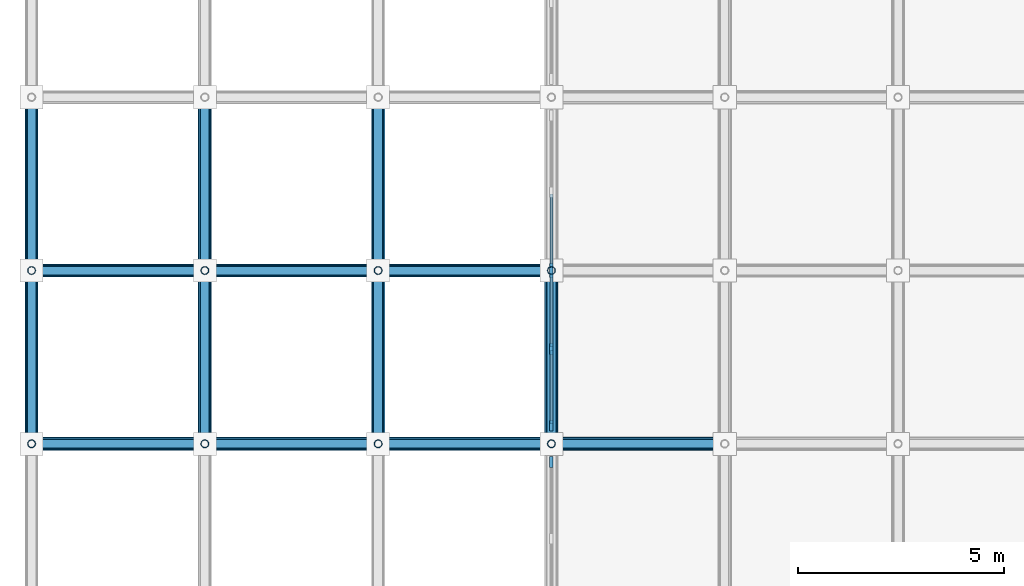
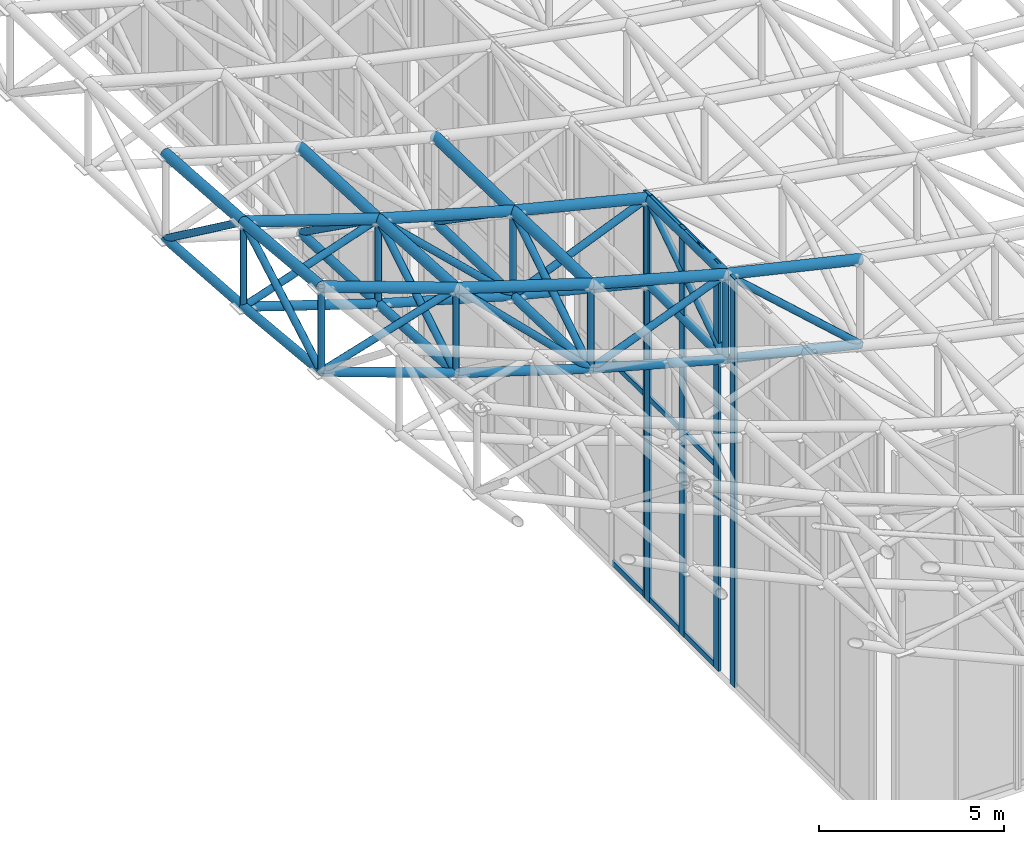
# One storey, part 8 of 93: 63 members, 3 elements without a shape of their own.
"""IFC4 building model written with IfcOpenShell, lengths in metres."""

from ifc_helpers import new_model, si_unit, direction, frame, origin, origin_2d, place, context, subcontext, project, spatial, rectangle, hollow_circle, extrude, material, material_profile, profile_set, type_object, element, aggregate, save


model = new_model("IFC4")

# Units and contexts
model_context = context("Model", 3, precision=1e-05, world=origin(), true_north=direction((0.0, 1.0)))
body_context = subcontext(model_context, "Body", "Model", "MODEL_VIEW")
ifc_project = project(units=[si_unit("LENGTHUNIT", "METRE"), si_unit("AREAUNIT", "SQUARE_METRE"), si_unit("VOLUMEUNIT", "CUBIC_METRE"), si_unit("PLANEANGLEUNIT", "RADIAN"), si_unit("MASSUNIT", "GRAM", prefix="KILO")], contexts=[model_context])

# Site, building, storey
site_placement = place(None, origin())
site = spatial("IfcSite", under=ifc_project, at=site_placement, CompositionType="ELEMENT")
building_placement = place(site_placement, origin())
building = spatial("IfcBuilding", under=site, at=building_placement, Name="Cumbredor Promenade Congress Hotel", CompositionType="ELEMENT")
storey_placement = place(building_placement, frame((0.0, 0.0, 21.840087890625)))
storey = spatial("IfcBuildingStorey", under=building, at=storey_placement, Name="L06", CompositionType="ELEMENT", Elevation=21.840087890625)

# Curtain wall, member
ifc_material_1 = material(Name="Thermally broken anodized aluminium and low-E glass", Category="aluminium")
curtain_wall_type = type_object("IfcCurtainWallType", Name="Stepped Pavilion Clerestory Curtain Wall CW-06", PredefinedType="NOTDEFINED", material=ifc_material_1)
curtain_wall_1_placement = place(storey_placement, origin())
curtain_wall_1 = element("IfcCurtainWall", 1, at=curtain_wall_1_placement, inside=storey, type_object=curtain_wall_type, Name="Plenary Congress Hall W Glazed Clerestory 2", PredefinedType="NOTDEFINED")
ifc_material_2 = material(Name="Thermally broken anodized aluminium", Category="aluminium")
ifc_material_profile_1 = material_profile(ifc_material_2, rectangle(XDim=0.0849609375, YDim=0.260009765625, at=origin_2d()), Name="ALU MULLION CLERESTORY 85x260")
ifc_profile_set_1 = profile_set([ifc_material_profile_1], Name="Thermally broken anodized aluminium")
member_type_1 = type_object("IfcMemberType", Name="Curtain Wall Mullion ML-04", PredefinedType="MULLION", material=ifc_profile_set_1)
member_1_placement = place(storey_placement, frame((8.39990234375, 16.360107421875, -0.01806640625), z_axis=(0.0, 0.0, 1.0), x_axis=(1.0, 0.0, 0.0)))
member_1 = element("IfcMember", 2, at=member_1_placement, type_object=member_type_1, Name="Plenary Congress Hall W Glazed Clerestory 2 Mullion 3", PredefinedType="MULLION", context=body_context, shape_type="SweptSolid", body=[
    extrude(rectangle(XDim=0.0849609375, YDim=0.260009765625, at=origin_2d()), origin(), (0.0, 0.0, 1.0), 13.466064453125),
])
aggregate(curtain_wall_1, [member_1])

# Curtain wall, members
curtain_wall_2_placement = place(storey_placement, origin())
curtain_wall_2 = element("IfcCurtainWall", 3, at=curtain_wall_2_placement, inside=storey, type_object=curtain_wall_type, Name="Plenary Congress Hall W Glazed Clerestory 3", PredefinedType="NOTDEFINED")
member_2_placement = place(storey_placement, frame((8.39990234375, 17.239990234375, -0.01806640625), z_axis=(0.0, 0.0, 1.0), x_axis=(1.0, 0.0, 0.0)))
member_2 = element("IfcMember", 4, at=member_2_placement, type_object=member_type_1, Name="Plenary Congress Hall W Glazed Clerestory 3 Mullion 1", PredefinedType="MULLION", context=body_context, shape_type="SweptSolid", body=[
    extrude(rectangle(XDim=0.0849609375, YDim=0.260009765625, at=origin_2d()), origin(), (0.0, 0.0, 1.0), 13.433837890625),
])
member_3_placement = place(storey_placement, frame((8.39990234375, 19.10009765625, -0.01806640625), z_axis=(0.0, 0.0, 1.0), x_axis=(1.0, 0.0, 0.0)))
member_3 = element("IfcMember", 5, at=member_3_placement, type_object=member_type_1, Name="Plenary Congress Hall W Glazed Clerestory 3 Mullion 2", PredefinedType="MULLION", context=body_context, shape_type="SweptSolid", body=[
    extrude(rectangle(XDim=0.0849609375, YDim=0.260009765625, at=origin_2d()), origin(), (0.0, 0.0, 1.0), 13.433837890625),
])
member_4_placement = place(storey_placement, frame((8.39990234375, 20.9599609375, -0.01806640625), z_axis=(0.0, 0.0, 1.0), x_axis=(1.0, 0.0, 0.0)))
member_4 = element("IfcMember", 6, at=member_4_placement, type_object=member_type_1, Name="Plenary Congress Hall W Glazed Clerestory 3 Mullion 3", PredefinedType="MULLION", context=body_context, shape_type="SweptSolid", body=[
    extrude(rectangle(XDim=0.0849609375, YDim=0.260009765625, at=origin_2d()), origin(), (0.0, 0.0, 1.0), 13.433837890625),
])

# Curtain wall, member
curtain_wall_3_placement = place(storey_placement, origin())
curtain_wall_3 = element("IfcCurtainWall", 7, at=curtain_wall_3_placement, inside=storey, type_object=curtain_wall_type, Name="Plenary Congress Hall W Glazed Clerestory 4", PredefinedType="NOTDEFINED")
member_5_placement = place(storey_placement, frame((8.39990234375, 21.0400390625, -0.01806640625), z_axis=(0.0, 0.0, 1.0), x_axis=(1.0, 0.0, 0.0)))
member_5 = element("IfcMember", 8, at=member_5_placement, type_object=member_type_1, Name="Plenary Congress Hall W Glazed Clerestory 4 Mullion 1", PredefinedType="MULLION", context=body_context, shape_type="SweptSolid", body=[
    extrude(rectangle(XDim=0.0849609375, YDim=0.260009765625, at=origin_2d()), origin(), (0.0, 0.0, 1.0), 13.40966796875),
])

# Member
ifc_material_profile_2 = material_profile(ifc_material_2, rectangle(XDim=0.080078125, YDim=0.179931640625, at=origin_2d()), Name="ALU TRANSOM 80x180")
ifc_profile_set_2 = profile_set([ifc_material_profile_2], Name="Thermally broken anodized aluminium")
member_type_2 = type_object("IfcMemberType", Name="Curtain Wall Transom TR-03", PredefinedType="USERDEFINED", material=ifc_profile_set_2)
member_6_placement = place(storey_placement, frame((8.39990234375, 17.282470703125, 0.079833984375), z_axis=(0.0, 1.0, 0.0), x_axis=(-1.0, 0.0, 0.0)))
member_6 = element("IfcMember", 9, at=member_6_placement, type_object=member_type_2, Name="Plenary Congress Hall W Glazed Clerestory 3 Transom 1.1", ObjectType="TRANSOM", PredefinedType="USERDEFINED", context=body_context, shape_type="SweptSolid", body=[
    extrude(rectangle(XDim=0.080078125, YDim=0.179931640625, at=origin_2d()), origin(), (0.0, 0.0, 1.0), 1.775146484375),
])

member_7_placement = place(storey_placement, frame((8.39990234375, 17.282470703125, 6.699951171875), z_axis=(0.0, 1.0, 0.0), x_axis=(-1.0, 0.0, 0.0)))
member_7 = element("IfcMember", 10, at=member_7_placement, type_object=member_type_2, Name="Plenary Congress Hall W Glazed Clerestory 3 Transom 1.2", ObjectType="TRANSOM", PredefinedType="USERDEFINED", context=body_context, shape_type="SweptSolid", body=[
    extrude(rectangle(XDim=0.080078125, YDim=0.179931640625, at=origin_2d()), origin(), (0.0, 0.0, 1.0), 1.775146484375),
])

member_8_placement = place(storey_placement, frame((8.39990234375, 17.282470703125, 13.31982421875), z_axis=(0.0, 1.0, 0.0), x_axis=(-1.0, 0.0, 0.0)))
member_8 = element("IfcMember", 11, at=member_8_placement, type_object=member_type_2, Name="Plenary Congress Hall W Glazed Clerestory 3 Transom 1.3", ObjectType="TRANSOM", PredefinedType="USERDEFINED", context=body_context, shape_type="SweptSolid", body=[
    extrude(rectangle(XDim=0.080078125, YDim=0.179931640625, at=origin_2d()), origin(), (0.0, 0.0, 1.0), 1.775146484375),
])

member_9_placement = place(storey_placement, frame((8.39990234375, 19.142578125, 0.079833984375), z_axis=(0.0, 1.0, 0.0), x_axis=(-1.0, 0.0, 0.0)))
member_9 = element("IfcMember", 12, at=member_9_placement, type_object=member_type_2, Name="Plenary Congress Hall W Glazed Clerestory 3 Transom 2.1", ObjectType="TRANSOM", PredefinedType="USERDEFINED", context=body_context, shape_type="SweptSolid", body=[
    extrude(rectangle(XDim=0.080078125, YDim=0.179931640625, at=origin_2d()), origin(), (0.0, 0.0, 1.0), 1.77490234375),
])

member_10_placement = place(storey_placement, frame((8.39990234375, 19.142578125, 6.699951171875), z_axis=(0.0, 1.0, 0.0), x_axis=(-1.0, 0.0, 0.0)))
member_10 = element("IfcMember", 13, at=member_10_placement, type_object=member_type_2, Name="Plenary Congress Hall W Glazed Clerestory 3 Transom 2.2", ObjectType="TRANSOM", PredefinedType="USERDEFINED", context=body_context, shape_type="SweptSolid", body=[
    extrude(rectangle(XDim=0.080078125, YDim=0.179931640625, at=origin_2d()), origin(), (0.0, 0.0, 1.0), 1.77490234375),
])

member_11_placement = place(storey_placement, frame((8.39990234375, 19.142578125, 13.31982421875), z_axis=(0.0, 1.0, 0.0), x_axis=(-1.0, 0.0, 0.0)))
member_11 = element("IfcMember", 14, at=member_11_placement, type_object=member_type_2, Name="Plenary Congress Hall W Glazed Clerestory 3 Transom 2.3", ObjectType="TRANSOM", PredefinedType="USERDEFINED", context=body_context, shape_type="SweptSolid", body=[
    extrude(rectangle(XDim=0.080078125, YDim=0.179931640625, at=origin_2d()), origin(), (0.0, 0.0, 1.0), 1.77490234375),
])

aggregate(curtain_wall_2, [member_2, member_3, member_4, member_6, member_7, member_8, member_9, member_10, member_11])

member_12_placement = place(storey_placement, frame((8.39990234375, 21.08251953125, 0.079833984375), z_axis=(0.0, 1.0, 0.0), x_axis=(-1.0, 0.0, 0.0)))
member_12 = element("IfcMember", 15, at=member_12_placement, type_object=member_type_2, Name="Plenary Congress Hall W Glazed Clerestory 4 Transom 1.1", ObjectType="TRANSOM", PredefinedType="USERDEFINED", context=body_context, shape_type="SweptSolid", body=[
    extrude(rectangle(XDim=0.080078125, YDim=0.179931640625, at=origin_2d()), origin(), (0.0, 0.0, 1.0), 1.77490234375),
])

member_13_placement = place(storey_placement, frame((8.39990234375, 21.08251953125, 6.68994140625), z_axis=(0.0, 1.0, 0.0), x_axis=(-1.0, 0.0, 0.0)))
member_13 = element("IfcMember", 16, at=member_13_placement, type_object=member_type_2, Name="Plenary Congress Hall W Glazed Clerestory 4 Transom 1.2", ObjectType="TRANSOM", PredefinedType="USERDEFINED", context=body_context, shape_type="SweptSolid", body=[
    extrude(rectangle(XDim=0.080078125, YDim=0.179931640625, at=origin_2d()), origin(), (0.0, 0.0, 1.0), 1.77490234375),
])

aggregate(curtain_wall_3, [member_5, member_12, member_13])

# Members
ifc_material_3 = material(Name="Steel ASTM A500 Grade C", Category="steel")
ifc_material_profile_3 = material_profile(ifc_material_3, hollow_circle(Radius=0.136474609375, WallThickness=0.01611328125, at=origin_2d()), Name="CHS 273.0x16")
ifc_profile_set_3 = profile_set([ifc_material_profile_3], Name="Steel ASTM A500 Grade C")
member_type_3 = type_object("IfcMemberType", Name="Plenary Roof Space Frame Bottom Chord", PredefinedType="CHORD", material=ifc_profile_set_3)
member_14_placement = place(storey_placement, frame((-4.199951171875, 16.800048828125, 14.45947265625), z_axis=(0.94060968374, 0.0, -0.339489945146), x_axis=(0.0, 1.0, 0.0)))
element("IfcMember", 17, at=member_14_placement, inside=storey, type_object=member_type_3, Name="Plenary Congress Hall X Bottom Chord 1.5", PredefinedType="CHORD", context=body_context, shape_type="SweptSolid", body=[
    extrude(hollow_circle(Radius=0.136474609375, WallThickness=0.01611328125, at=origin_2d()), origin(), (0.0, 0.0, 1.0), 4.465087890625),
])
member_15_placement = place(storey_placement, frame((0.0, 16.800048828125, 12.943603515625), z_axis=(0.953320159964, 0.0, -0.301961376018), x_axis=(0.0, 1.0, 0.0)))
element("IfcMember", 18, at=member_15_placement, inside=storey, type_object=member_type_3, Name="Plenary Congress Hall X Bottom Chord 2.5", PredefinedType="CHORD", context=body_context, shape_type="SweptSolid", body=[
    extrude(hollow_circle(Radius=0.136474609375, WallThickness=0.01611328125, at=origin_2d()), origin(), (0.0, 0.0, 1.0), 4.405517578125),
])
member_16_placement = place(storey_placement, frame((4.199951171875, 16.800048828125, 11.61328125), z_axis=(0.964303137338, 0.0, -0.264800791768), x_axis=(0.0, 1.0, 0.0)))
element("IfcMember", 19, at=member_16_placement, inside=storey, type_object=member_type_3, Name="Plenary Congress Hall X Bottom Chord 3.5", PredefinedType="CHORD", context=body_context, shape_type="SweptSolid", body=[
    extrude(hollow_circle(Radius=0.136474609375, WallThickness=0.01611328125, at=origin_2d()), origin(), (0.0, 0.0, 1.0), 4.35546875),
])
member_17_placement = place(storey_placement, frame((8.39990234375, 16.800048828125, 10.4599609375), z_axis=(0.974057098323, 0.0, -0.226302384445), x_axis=(0.0, 1.0, 0.0)))
element("IfcMember", 20, at=member_17_placement, inside=storey, type_object=member_type_3, Name="Plenary Congress Hall X Bottom Chord 4.5", PredefinedType="CHORD", context=body_context, shape_type="SweptSolid", body=[
    extrude(hollow_circle(Radius=0.136474609375, WallThickness=0.01611328125, at=origin_2d()), origin(), (0.0, 0.0, 1.0), 4.31201171875),
])
member_18_placement = place(storey_placement, frame((-4.199951171875, 21.0, 14.05322265625), z_axis=(0.95046362493, 0.0, -0.310835805025), x_axis=(0.0, 1.0, 0.0)))
element("IfcMember", 21, at=member_18_placement, inside=storey, type_object=member_type_3, Name="Plenary Congress Hall X Bottom Chord 1.6", PredefinedType="CHORD", context=body_context, shape_type="SweptSolid", body=[
    extrude(hollow_circle(Radius=0.136474609375, WallThickness=0.01611328125, at=origin_2d()), origin(), (0.0, 0.0, 1.0), 4.4189453125),
])
member_19_placement = place(storey_placement, frame((0.0, 21.0, 12.6796875), z_axis=(0.961141413471, 0.0, -0.276056485727), x_axis=(0.0, 1.0, 0.0)))
element("IfcMember", 22, at=member_19_placement, inside=storey, type_object=member_type_3, Name="Plenary Congress Hall X Bottom Chord 2.6", PredefinedType="CHORD", context=body_context, shape_type="SweptSolid", body=[
    extrude(hollow_circle(Radius=0.136474609375, WallThickness=0.01611328125, at=origin_2d()), origin(), (0.0, 0.0, 1.0), 4.369873046875),
])
member_20_placement = place(storey_placement, frame((4.199951171875, 21.0, 11.473388671875), z_axis=(0.970390849303, 0.0, -0.241540057938), x_axis=(0.0, 1.0, 0.0)))
element("IfcMember", 23, at=member_20_placement, inside=storey, type_object=member_type_3, Name="Plenary Congress Hall X Bottom Chord 3.6", PredefinedType="CHORD", context=body_context, shape_type="SweptSolid", body=[
    extrude(hollow_circle(Radius=0.136474609375, WallThickness=0.01611328125, at=origin_2d()), origin(), (0.0, 0.0, 1.0), 4.328125),
])
member_21_placement = place(storey_placement, frame((-4.199951171875, 16.800048828125, 14.45947265625), z_axis=(0.0, 0.995354486143, -0.096277966921), x_axis=(-1.0, 0.0, 0.0)))
element("IfcMember", 24, at=member_21_placement, inside=storey, type_object=member_type_3, Name="Plenary Congress Hall Y Bottom Chord 1.5", PredefinedType="CHORD", context=body_context, shape_type="SweptSolid", body=[
    extrude(hollow_circle(Radius=0.136474609375, WallThickness=0.01611328125, at=origin_2d()), origin(), (0.0, 0.0, 1.0), 4.219482421875),
])
member_22_placement = place(storey_placement, frame((-4.199951171875, 21.0, 14.05322265625), z_axis=(0.0, 0.997374731853, -0.072413011689), x_axis=(-1.0, 0.0, 0.0)))
element("IfcMember", 25, at=member_22_placement, inside=storey, type_object=member_type_3, Name="Plenary Congress Hall Y Bottom Chord 1.6", PredefinedType="CHORD", context=body_context, shape_type="SweptSolid", body=[
    extrude(hollow_circle(Radius=0.136474609375, WallThickness=0.01611328125, at=origin_2d()), origin(), (0.0, 0.0, 1.0), 4.2109375),
])
member_23_placement = place(storey_placement, frame((0.0, 16.800048828125, 12.943603515625), z_axis=(0.0, 0.998031528214, -0.062714182526), x_axis=(-1.0, 0.0, 0.0)))
element("IfcMember", 26, at=member_23_placement, inside=storey, type_object=member_type_3, Name="Plenary Congress Hall Y Bottom Chord 2.5", PredefinedType="CHORD", context=body_context, shape_type="SweptSolid", body=[
    extrude(hollow_circle(Radius=0.136474609375, WallThickness=0.01611328125, at=origin_2d()), origin(), (0.0, 0.0, 1.0), 4.208251953125),
])
member_24_placement = place(storey_placement, frame((0.0, 21.0, 12.6796875), z_axis=(0.0, 0.998890620414, -0.047090640769), x_axis=(-1.0, 0.0, 0.0)))
element("IfcMember", 27, at=member_24_placement, inside=storey, type_object=member_type_3, Name="Plenary Congress Hall Y Bottom Chord 2.6", PredefinedType="CHORD", context=body_context, shape_type="SweptSolid", body=[
    extrude(hollow_circle(Radius=0.136474609375, WallThickness=0.01611328125, at=origin_2d()), origin(), (0.0, 0.0, 1.0), 4.20458984375),
])
member_25_placement = place(storey_placement, frame((4.199951171875, 16.800048828125, 11.61328125), z_axis=(0.0, 0.999445744913, -0.03328968272), x_axis=(-1.0, 0.0, 0.0)))
element("IfcMember", 28, at=member_25_placement, inside=storey, type_object=member_type_3, Name="Plenary Congress Hall Y Bottom Chord 3.5", PredefinedType="CHORD", context=body_context, shape_type="SweptSolid", body=[
    extrude(hollow_circle(Radius=0.136474609375, WallThickness=0.01611328125, at=origin_2d()), origin(), (0.0, 0.0, 1.0), 4.202392578125),
])
member_26_placement = place(storey_placement, frame((4.199951171875, 21.0, 11.473388671875), z_axis=(0.0, 0.999689205225, -0.024929760451), x_axis=(-1.0, 0.0, 0.0)))
element("IfcMember", 29, at=member_26_placement, inside=storey, type_object=member_type_3, Name="Plenary Congress Hall Y Bottom Chord 3.6", PredefinedType="CHORD", context=body_context, shape_type="SweptSolid", body=[
    extrude(hollow_circle(Radius=0.136474609375, WallThickness=0.01611328125, at=origin_2d()), origin(), (0.0, 0.0, 1.0), 4.201171875),
])
member_27_placement = place(storey_placement, frame((8.39990234375, 16.800048828125, 10.4599609375), z_axis=(0.0, 0.999971007522, -0.007614730104), x_axis=(-1.0, 0.0, 0.0)))
element("IfcMember", 30, at=member_27_placement, inside=storey, type_object=member_type_3, Name="Plenary Congress Hall Y Bottom Chord 4.5", PredefinedType="CHORD", context=body_context, shape_type="SweptSolid", body=[
    extrude(hollow_circle(Radius=0.136474609375, WallThickness=0.01611328125, at=origin_2d()), origin(), (0.0, 0.0, 1.0), 4.199951171875),
])
ifc_material_profile_4 = material_profile(ifc_material_3, hollow_circle(Radius=0.161865234375, WallThickness=0.01611328125, at=origin_2d()), Name="CHS 323.9x16")
ifc_profile_set_4 = profile_set([ifc_material_profile_4], Name="Steel ASTM A500 Grade C")
member_type_4 = type_object("IfcMemberType", Name="Plenary Roof Space Frame Top Chord", PredefinedType="CHORD", material=ifc_profile_set_4)
member_28_placement = place(storey_placement, frame((-4.199951171875, 16.800048828125, 17.259521484375), z_axis=(0.94060968374, 0.0, -0.339489945146), x_axis=(0.0, 1.0, 0.0)))
element("IfcMember", 31, at=member_28_placement, inside=storey, type_object=member_type_4, Name="Plenary Congress Hall X Top Chord 1.5", PredefinedType="CHORD", context=body_context, shape_type="SweptSolid", body=[
    extrude(hollow_circle(Radius=0.161865234375, WallThickness=0.01611328125, at=origin_2d()), origin(), (0.0, 0.0, 1.0), 4.465087890625),
])
member_29_placement = place(storey_placement, frame((0.0, 16.800048828125, 15.74365234375), z_axis=(0.953320159964, 0.0, -0.301961376018), x_axis=(0.0, 1.0, 0.0)))
element("IfcMember", 32, at=member_29_placement, inside=storey, type_object=member_type_4, Name="Plenary Congress Hall X Top Chord 2.5", PredefinedType="CHORD", context=body_context, shape_type="SweptSolid", body=[
    extrude(hollow_circle(Radius=0.161865234375, WallThickness=0.01611328125, at=origin_2d()), origin(), (0.0, 0.0, 1.0), 4.405517578125),
])
member_30_placement = place(storey_placement, frame((4.199951171875, 16.800048828125, 14.413330078125), z_axis=(0.964303137338, 0.0, -0.264800791768), x_axis=(0.0, 1.0, 0.0)))
element("IfcMember", 33, at=member_30_placement, inside=storey, type_object=member_type_4, Name="Plenary Congress Hall X Top Chord 3.5", PredefinedType="CHORD", context=body_context, shape_type="SweptSolid", body=[
    extrude(hollow_circle(Radius=0.161865234375, WallThickness=0.01611328125, at=origin_2d()), origin(), (0.0, 0.0, 1.0), 4.35546875),
])
member_31_placement = place(storey_placement, frame((8.39990234375, 16.800048828125, 13.260009765625), z_axis=(0.974057098323, 0.0, -0.226302384445), x_axis=(0.0, 1.0, 0.0)))
element("IfcMember", 34, at=member_31_placement, inside=storey, type_object=member_type_4, Name="Plenary Congress Hall X Top Chord 4.5", PredefinedType="CHORD", context=body_context, shape_type="SweptSolid", body=[
    extrude(hollow_circle(Radius=0.161865234375, WallThickness=0.01611328125, at=origin_2d()), origin(), (0.0, 0.0, 1.0), 4.31201171875),
])
member_32_placement = place(storey_placement, frame((-4.199951171875, 21.0, 16.85302734375), z_axis=(0.95046362493, 0.0, -0.310835805025), x_axis=(0.0, 1.0, 0.0)))
element("IfcMember", 35, at=member_32_placement, inside=storey, type_object=member_type_4, Name="Plenary Congress Hall X Top Chord 1.6", PredefinedType="CHORD", context=body_context, shape_type="SweptSolid", body=[
    extrude(hollow_circle(Radius=0.161865234375, WallThickness=0.01611328125, at=origin_2d()), origin(), (0.0, 0.0, 1.0), 4.4189453125),
])
member_33_placement = place(storey_placement, frame((0.0, 21.0, 15.4794921875), z_axis=(0.961156236414, 0.0, -0.276004871702), x_axis=(0.0, 1.0, 0.0)))
element("IfcMember", 36, at=member_33_placement, inside=storey, type_object=member_type_4, Name="Plenary Congress Hall X Top Chord 2.6", PredefinedType="CHORD", context=body_context, shape_type="SweptSolid", body=[
    extrude(hollow_circle(Radius=0.161865234375, WallThickness=0.01611328125, at=origin_2d()), origin(), (0.0, 0.0, 1.0), 4.36962890625),
])
member_34_placement = place(storey_placement, frame((4.199951171875, 21.0, 14.2734375), z_axis=(0.970390849303, 0.0, -0.241540057938), x_axis=(0.0, 1.0, 0.0)))
element("IfcMember", 37, at=member_34_placement, inside=storey, type_object=member_type_4, Name="Plenary Congress Hall X Top Chord 3.6", PredefinedType="CHORD", context=body_context, shape_type="SweptSolid", body=[
    extrude(hollow_circle(Radius=0.161865234375, WallThickness=0.01611328125, at=origin_2d()), origin(), (0.0, 0.0, 1.0), 4.328125),
])
member_35_placement = place(storey_placement, frame((-4.199951171875, 16.800048828125, 17.259521484375), z_axis=(0.0, 0.995348939821, -0.096335289473), x_axis=(-1.0, 0.0, 0.0)))
element("IfcMember", 38, at=member_35_placement, inside=storey, type_object=member_type_4, Name="Plenary Congress Hall Y Top Chord 1.5", PredefinedType="CHORD", context=body_context, shape_type="SweptSolid", body=[
    extrude(hollow_circle(Radius=0.161865234375, WallThickness=0.01611328125, at=origin_2d()), origin(), (0.0, 0.0, 1.0), 4.219482421875),
])
member_36_placement = place(storey_placement, frame((-4.199951171875, 21.0, 16.85302734375), z_axis=(0.0, 0.997378917455, -0.072355338545), x_axis=(-1.0, 0.0, 0.0)))
element("IfcMember", 39, at=member_36_placement, inside=storey, type_object=member_type_4, Name="Plenary Congress Hall Y Top Chord 1.6", PredefinedType="CHORD", context=body_context, shape_type="SweptSolid", body=[
    extrude(hollow_circle(Radius=0.161865234375, WallThickness=0.01611328125, at=origin_2d()), origin(), (0.0, 0.0, 1.0), 4.2109375),
])
member_37_placement = place(storey_placement, frame((0.0, 16.800048828125, 15.74365234375), z_axis=(0.0, 0.998027895355, -0.062771969004), x_axis=(-1.0, 0.0, 0.0)))
element("IfcMember", 40, at=member_37_placement, inside=storey, type_object=member_type_4, Name="Plenary Congress Hall Y Top Chord 2.5", PredefinedType="CHORD", context=body_context, shape_type="SweptSolid", body=[
    extrude(hollow_circle(Radius=0.161865234375, WallThickness=0.01611328125, at=origin_2d()), origin(), (0.0, 0.0, 1.0), 4.208251953125),
])
member_38_placement = place(storey_placement, frame((0.0, 21.0, 15.4794921875), z_axis=(0.0, 0.998890620414, -0.047090640769), x_axis=(-1.0, 0.0, 0.0)))
element("IfcMember", 41, at=member_38_placement, inside=storey, type_object=member_type_4, Name="Plenary Congress Hall Y Top Chord 2.6", PredefinedType="CHORD", context=body_context, shape_type="SweptSolid", body=[
    extrude(hollow_circle(Radius=0.161865234375, WallThickness=0.01611328125, at=origin_2d()), origin(), (0.0, 0.0, 1.0), 4.20458984375),
])
member_39_placement = place(storey_placement, frame((4.199951171875, 16.800048828125, 14.413330078125), z_axis=(0.0, 0.999445744913, -0.03328968272), x_axis=(-1.0, 0.0, 0.0)))
element("IfcMember", 42, at=member_39_placement, inside=storey, type_object=member_type_4, Name="Plenary Congress Hall Y Top Chord 3.5", PredefinedType="CHORD", context=body_context, shape_type="SweptSolid", body=[
    extrude(hollow_circle(Radius=0.161865234375, WallThickness=0.01611328125, at=origin_2d()), origin(), (0.0, 0.0, 1.0), 4.202392578125),
])
member_40_placement = place(storey_placement, frame((4.199951171875, 21.0, 14.2734375), z_axis=(0.0, 0.999689205225, -0.024929760451), x_axis=(-1.0, 0.0, 0.0)))
element("IfcMember", 43, at=member_40_placement, inside=storey, type_object=member_type_4, Name="Plenary Congress Hall Y Top Chord 3.6", PredefinedType="CHORD", context=body_context, shape_type="SweptSolid", body=[
    extrude(hollow_circle(Radius=0.161865234375, WallThickness=0.01611328125, at=origin_2d()), origin(), (0.0, 0.0, 1.0), 4.201171875),
])
member_41_placement = place(storey_placement, frame((8.39990234375, 16.800048828125, 13.260009765625), z_axis=(0.0, 0.999971007522, -0.007614730104), x_axis=(-1.0, 0.0, 0.0)))
element("IfcMember", 44, at=member_41_placement, inside=storey, type_object=member_type_4, Name="Plenary Congress Hall Y Top Chord 4.5", PredefinedType="CHORD", context=body_context, shape_type="SweptSolid", body=[
    extrude(hollow_circle(Radius=0.161865234375, WallThickness=0.01611328125, at=origin_2d()), origin(), (0.0, 0.0, 1.0), 4.199951171875),
])
ifc_material_profile_5 = material_profile(ifc_material_3, hollow_circle(Radius=0.109619140625, WallThickness=0.012451171875, at=origin_2d()), Name="CHS 219.1x12.5")
ifc_profile_set_5 = profile_set([ifc_material_profile_5], Name="Steel ASTM A500 Grade C")
member_type_5 = type_object("IfcMemberType", Name="Space Frame Web Diagonal D1", PredefinedType="BRACE", material=ifc_profile_set_5)
member_42_placement = place(storey_placement, frame((-4.199951171875, 16.800048828125, 14.45947265625), z_axis=(0.95629674988, 0.0, 0.292397890157), x_axis=(0.0, 1.0, 0.0)))
element("IfcMember", 45, at=member_42_placement, inside=storey, type_object=member_type_5, Name="Plenary Congress Hall X Web Diagonal 1.5", PredefinedType="BRACE", context=body_context, shape_type="SweptSolid", body=[
    extrude(hollow_circle(Radius=0.109619140625, WallThickness=0.012451171875, at=origin_2d()), origin(), (0.0, 0.0, 1.0), 4.391845703125),
])
member_43_placement = place(storey_placement, frame((0.0, 16.800048828125, 15.74365234375), z_axis=(0.712988109804, 0.0, -0.701176122866), x_axis=(0.0, 1.0, 0.0)))
element("IfcMember", 46, at=member_43_placement, inside=storey, type_object=member_type_5, Name="Plenary Congress Hall X Web Diagonal 2.5", PredefinedType="BRACE", context=body_context, shape_type="SweptSolid", body=[
    extrude(hollow_circle(Radius=0.109619140625, WallThickness=0.012451171875, at=origin_2d()), origin(), (0.0, 0.0, 1.0), 5.890625),
])
member_44_placement = place(storey_placement, frame((4.199951171875, 16.800048828125, 11.61328125), z_axis=(0.930996640005, 0.0, 0.365027747302), x_axis=(0.0, 1.0, 0.0)))
element("IfcMember", 47, at=member_44_placement, inside=storey, type_object=member_type_5, Name="Plenary Congress Hall X Web Diagonal 3.5", PredefinedType="BRACE", context=body_context, shape_type="SweptSolid", body=[
    extrude(hollow_circle(Radius=0.109619140625, WallThickness=0.012451171875, at=origin_2d()), origin(), (0.0, 0.0, 1.0), 4.51123046875),
])
member_45_placement = place(storey_placement, frame((8.39990234375, 16.800048828125, 13.260009765625), z_axis=(0.743672320821, 0.0, -0.668544298641), x_axis=(0.0, 1.0, 0.0)))
element("IfcMember", 48, at=member_45_placement, inside=storey, type_object=member_type_5, Name="Plenary Congress Hall X Web Diagonal 4.5", PredefinedType="BRACE", context=body_context, shape_type="SweptSolid", body=[
    extrude(hollow_circle(Radius=0.109619140625, WallThickness=0.012451171875, at=origin_2d()), origin(), (0.0, 0.0, 1.0), 5.64794921875),
])
member_46_placement = place(storey_placement, frame((-4.199951171875, 21.0, 14.05322265625), z_axis=(0.946890442895, 0.0, 0.321556354554), x_axis=(0.0, 1.0, 0.0)))
element("IfcMember", 49, at=member_46_placement, inside=storey, type_object=member_type_5, Name="Plenary Congress Hall X Web Diagonal 1.6", PredefinedType="BRACE", context=body_context, shape_type="SweptSolid", body=[
    extrude(hollow_circle(Radius=0.109619140625, WallThickness=0.012451171875, at=origin_2d()), origin(), (0.0, 0.0, 1.0), 4.435546875),
])
member_47_placement = place(storey_placement, frame((0.0, 21.0, 15.4794921875), z_axis=(0.723608555233, 0.0, -0.690210590177), x_axis=(0.0, 1.0, 0.0)))
element("IfcMember", 50, at=member_47_placement, inside=storey, type_object=member_type_5, Name="Plenary Congress Hall X Web Diagonal 2.6", PredefinedType="BRACE", context=body_context, shape_type="SweptSolid", body=[
    extrude(hollow_circle(Radius=0.109619140625, WallThickness=0.012451171875, at=origin_2d()), origin(), (0.0, 0.0, 1.0), 5.80419921875),
])
member_48_placement = place(storey_placement, frame((4.199951171875, 21.0, 11.473388671875), z_axis=(0.922713114101, 0.0, 0.385487365637), x_axis=(0.0, 1.0, 0.0)))
element("IfcMember", 51, at=member_48_placement, inside=storey, type_object=member_type_5, Name="Plenary Congress Hall X Web Diagonal 3.6", PredefinedType="BRACE", context=body_context, shape_type="SweptSolid", body=[
    extrude(hollow_circle(Radius=0.109619140625, WallThickness=0.012451171875, at=origin_2d()), origin(), (0.0, 0.0, 1.0), 4.5517578125),
])
member_49_placement = place(storey_placement, frame((-4.199951171875, 16.800048828125, 14.45947265625), z_axis=(0.0, 0.868814422185, 0.495137859391), x_axis=(-1.0, 0.0, 0.0)))
element("IfcMember", 52, at=member_49_placement, inside=storey, type_object=member_type_5, Name="Plenary Congress Hall Y Web Diagonal 1.5", PredefinedType="BRACE", context=body_context, shape_type="SweptSolid", body=[
    extrude(hollow_circle(Radius=0.109619140625, WallThickness=0.012451171875, at=origin_2d()), origin(), (0.0, 0.0, 1.0), 4.834228515625),
])
member_50_placement = place(storey_placement, frame((-4.199951171875, 21.0, 16.85302734375), z_axis=(0.0, 0.804137281643, -0.594443632544), x_axis=(-1.0, 0.0, 0.0)))
element("IfcMember", 53, at=member_50_placement, inside=storey, type_object=member_type_5, Name="Plenary Congress Hall Y Web Diagonal 1.6", PredefinedType="BRACE", context=body_context, shape_type="SweptSolid", body=[
    extrude(hollow_circle(Radius=0.109619140625, WallThickness=0.012451171875, at=origin_2d()), origin(), (0.0, 0.0, 1.0), 5.222900390625),
])
member_51_placement = place(storey_placement, frame((0.0, 16.800048828125, 12.943603515625), z_axis=(0.0, 0.856058213585, 0.51687942013), x_axis=(-1.0, 0.0, 0.0)))
element("IfcMember", 54, at=member_51_placement, inside=storey, type_object=member_type_5, Name="Plenary Congress Hall Y Web Diagonal 2.5", PredefinedType="BRACE", context=body_context, shape_type="SweptSolid", body=[
    extrude(hollow_circle(Radius=0.109619140625, WallThickness=0.012451171875, at=origin_2d()), origin(), (0.0, 0.0, 1.0), 4.90625),
])
member_52_placement = place(storey_placement, frame((0.0, 21.0, 15.4794921875), z_axis=(0.0, 0.813931628486, -0.580960673497), x_axis=(-1.0, 0.0, 0.0)))
element("IfcMember", 55, at=member_52_placement, inside=storey, type_object=member_type_5, Name="Plenary Congress Hall Y Web Diagonal 2.6", PredefinedType="BRACE", context=body_context, shape_type="SweptSolid", body=[
    extrude(hollow_circle(Radius=0.109619140625, WallThickness=0.012451171875, at=origin_2d()), origin(), (0.0, 0.0, 1.0), 5.16015625),
])
member_53_placement = place(storey_placement, frame((4.199951171875, 16.800048828125, 11.61328125), z_axis=(0.0, 0.84480205679, 0.535078951972), x_axis=(-1.0, 0.0, 0.0)))
element("IfcMember", 56, at=member_53_placement, inside=storey, type_object=member_type_5, Name="Plenary Congress Hall Y Web Diagonal 3.5", PredefinedType="BRACE", context=body_context, shape_type="SweptSolid", body=[
    extrude(hollow_circle(Radius=0.109619140625, WallThickness=0.012451171875, at=origin_2d()), origin(), (0.0, 0.0, 1.0), 4.971435546875),
])
member_54_placement = place(storey_placement, frame((4.199951171875, 21.0, 14.2734375), z_axis=(0.0, 0.822455434738, -0.568829550806), x_axis=(-1.0, 0.0, 0.0)))
element("IfcMember", 57, at=member_54_placement, inside=storey, type_object=member_type_5, Name="Plenary Congress Hall Y Web Diagonal 3.6", PredefinedType="BRACE", context=body_context, shape_type="SweptSolid", body=[
    extrude(hollow_circle(Radius=0.109619140625, WallThickness=0.012451171875, at=origin_2d()), origin(), (0.0, 0.0, 1.0), 5.106689453125),
])
member_55_placement = place(storey_placement, frame((8.39990234375, 16.800048828125, 10.4599609375), z_axis=(0.0, 0.834965807413, 0.550301826684), x_axis=(-1.0, 0.0, 0.0)))
element("IfcMember", 58, at=member_55_placement, inside=storey, type_object=member_type_5, Name="Plenary Congress Hall Y Web Diagonal 4.5", PredefinedType="BRACE", context=body_context, shape_type="SweptSolid", body=[
    extrude(hollow_circle(Radius=0.109619140625, WallThickness=0.012451171875, at=origin_2d()), origin(), (0.0, 0.0, 1.0), 5.030029296875),
])
ifc_material_profile_6 = material_profile(ifc_material_3, hollow_circle(Radius=0.096923828125, WallThickness=0.010009765625, at=origin_2d()), Name="CHS 193.7x10")
ifc_profile_set_6 = profile_set([ifc_material_profile_6], Name="Steel ASTM A500 Grade C")
member_type_6 = type_object("IfcMemberType", Name="Space Frame Web Post P1", PredefinedType="BRACE", material=ifc_profile_set_6)
member_56_placement = place(storey_placement, frame((-4.199951171875, 16.800048828125, 14.45947265625), z_axis=(0.0, 0.0, 1.0), x_axis=(1.0, 0.0, 0.0)))
element("IfcMember", 59, at=member_56_placement, inside=storey, type_object=member_type_6, Name="Plenary Congress Hall Space Frame Web Post 1.5", PredefinedType="BRACE", context=body_context, shape_type="SweptSolid", body=[
    extrude(hollow_circle(Radius=0.096923828125, WallThickness=0.010009765625, at=origin_2d()), origin(), (0.0, 0.0, 1.0), 2.800048828125),
])
member_57_placement = place(storey_placement, frame((-4.199951171875, 21.0, 14.05322265625), z_axis=(0.0, 0.0, 1.0), x_axis=(1.0, 0.0, 0.0)))
element("IfcMember", 60, at=member_57_placement, inside=storey, type_object=member_type_6, Name="Plenary Congress Hall Space Frame Web Post 1.6", PredefinedType="BRACE", context=body_context, shape_type="SweptSolid", body=[
    extrude(hollow_circle(Radius=0.096923828125, WallThickness=0.010009765625, at=origin_2d()), origin(), (0.0, 0.0, 1.0), 2.7998046875),
])
member_58_placement = place(storey_placement, frame((0.0, 16.800048828125, 12.943603515625), z_axis=(0.0, 0.0, 1.0), x_axis=(1.0, 0.0, 0.0)))
element("IfcMember", 61, at=member_58_placement, inside=storey, type_object=member_type_6, Name="Plenary Congress Hall Space Frame Web Post 2.5", PredefinedType="BRACE", context=body_context, shape_type="SweptSolid", body=[
    extrude(hollow_circle(Radius=0.096923828125, WallThickness=0.010009765625, at=origin_2d()), origin(), (0.0, 0.0, 1.0), 2.800048828125),
])
member_59_placement = place(storey_placement, frame((0.0, 21.0, 12.6796875), z_axis=(0.0, 0.0, 1.0), x_axis=(1.0, 0.0, 0.0)))
element("IfcMember", 62, at=member_59_placement, inside=storey, type_object=member_type_6, Name="Plenary Congress Hall Space Frame Web Post 2.6", PredefinedType="BRACE", context=body_context, shape_type="SweptSolid", body=[
    extrude(hollow_circle(Radius=0.096923828125, WallThickness=0.010009765625, at=origin_2d()), origin(), (0.0, 0.0, 1.0), 2.7998046875),
])
for number, where, z_axis, x_axis, name in (
    (63, (4.199951171875, 16.800048828125, 11.61328125), (0.0, 0.0, 1.0), (1.0, 0.0, 0.0), "Plenary Congress Hall Space Frame Web Post 3.5"),
    (64, (4.199951171875, 21.0, 11.473388671875), (0.0, 0.0, 1.0), (1.0, 0.0, 0.0), "Plenary Congress Hall Space Frame Web Post 3.6"),
    (65, (8.39990234375, 16.800048828125, 10.4599609375), (0.0, 0.0, 1.0), (1.0, 0.0, 0.0), "Plenary Congress Hall Space Frame Web Post 4.5"),
    (66, (8.39990234375, 21.0, 10.427978515625), (0.0, 0.0, 1.0), (1.0, 0.0, 0.0), "Plenary Congress Hall Space Frame Web Post 4.6"),
):
    element("IfcMember", number, at=place(storey_placement, frame(where, z_axis=z_axis, x_axis=x_axis)), inside=storey, type_object=member_type_6, Name=name, PredefinedType="BRACE", context=body_context, shape_type="SweptSolid", body=[
        extrude(hollow_circle(Radius=0.096923828125, WallThickness=0.010009765625, at=origin_2d()), origin(), (0.0, 0.0, 1.0), 2.800048828125),
    ])

save(model, "model.ifc")
